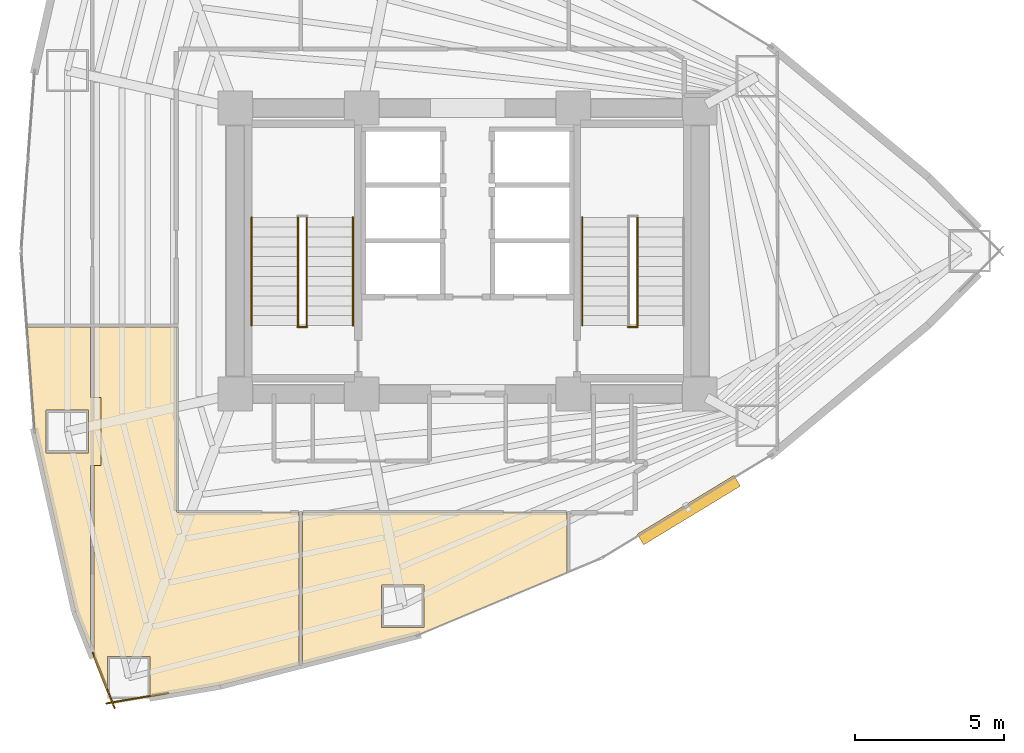
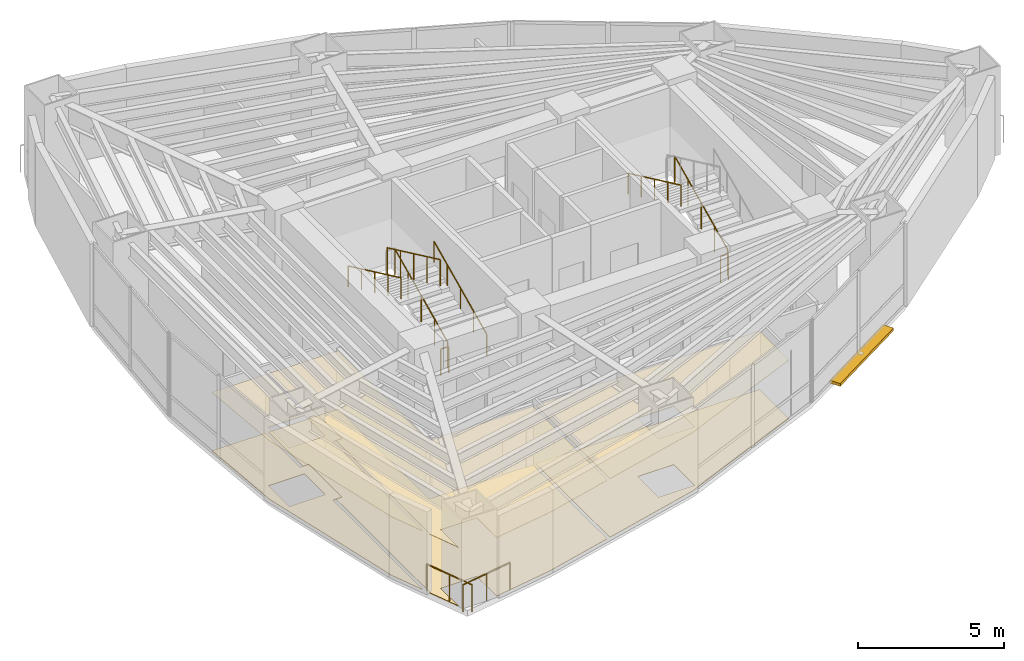
# One storey, part 16 of 17: 10 railings, 6 coverings, 1 shading device.
"""IFC4 building model written with IfcOpenShell, lengths in metres."""

from ifc_helpers import new_model, si_unit, direction, frame, origin, origin_2d, place, context, subcontext, project, spatial, polyline, rectangle, circle, outline, extrude, material, layer, layer_set, type_object, element, save


model = new_model("IFC4")

# Units and contexts
model_context = context("Model", 3, precision=1e-05, world=origin(), true_north=direction((0.0, 1.0)))
body_context = subcontext(model_context, "Body", "Model", "MODEL_VIEW")
ifc_project = project(units=[si_unit("LENGTHUNIT", "METRE"), si_unit("AREAUNIT", "SQUARE_METRE"), si_unit("VOLUMEUNIT", "CUBIC_METRE"), si_unit("PLANEANGLEUNIT", "RADIAN"), si_unit("MASSUNIT", "GRAM", prefix="KILO")], contexts=[model_context])

# Site, building, storey
site_placement = place(None, origin())
site = spatial("IfcSite", under=ifc_project, at=site_placement, CompositionType="ELEMENT")
building_placement = place(site_placement, origin())
building = spatial("IfcBuilding", under=site, at=building_placement, Name="Menara Vayukalpa", CompositionType="ELEMENT")
storey_placement = place(building_placement, frame((0.0, 0.0, 49.919921875)))
storey = spatial("IfcBuildingStorey", under=building, at=storey_placement, Name="L11", CompositionType="ELEMENT", Elevation=49.919921875)

# Coverings
ifc_material_1 = material(Name="Mineral Fibre Acoustic Ceiling Tile", Category="masonry")
ifc_layer_1 = layer(ifc_material_1, 0.02490234375)
ifc_layer_set_1 = layer_set([ifc_layer_1], Name="Mineral Fibre Acoustic Ceiling Tile")
covering_type_1 = type_object("IfcCoveringType", Name="COV-CLG1", PredefinedType="CEILING", material=ifc_layer_set_1)
covering_1_placement = place(storey_placement, frame((0.0, 0.0, 2.4501953125)))
element("IfcCovering", 1, at=covering_1_placement, inside=storey, type_object=covering_type_1, Name="L11 Corporate Training Classroom Acoustic Ceiling", PredefinedType="CEILING", context=body_context, shape_type="SweptSolid", body=[
    extrude(outline(polyline([(12.43701171875, 9.884521484375), (11.07421875, 15.941162109375), (11.073974609375, 15.942626953125), (10.8125, 19.42919921875), (10.8125, 19.43017578125), (10.8125, 19.43115234375), (10.812744140625, 19.43212890625), (10.81298828125, 19.43310546875), (10.813232421875, 19.43408203125), (10.813720703125, 19.434814453125), (10.814208984375, 19.435791015625), (10.814697265625, 19.436279296875), (10.8154296875, 19.43701171875), (10.816162109375, 19.437744140625), (10.81689453125, 19.4384765625), (10.81787109375, 19.43896484375), (10.818603515625, 19.439208984375), (10.819580078125, 19.439697265625), (10.820556640625, 19.439697265625), (10.821533203125, 19.43994140625), (10.822509765625, 19.43994140625), (12.929931640625, 19.43994140625), (12.930908203125, 19.43994140625), (12.931884765625, 19.439697265625), (12.932861328125, 19.439697265625), (12.933837890625, 19.439208984375), (12.934814453125, 19.438720703125), (12.935546875, 19.438232421875), (12.936279296875, 19.437744140625), (12.93701171875, 19.43701171875), (12.937744140625, 19.436279296875), (12.938232421875, 19.435546875), (12.938720703125, 19.434814453125), (12.939208984375, 19.433837890625), (12.939697265625, 19.432861328125), (12.939697265625, 19.431884765625), (12.93994140625, 19.430908203125), (12.93994140625, 19.429931640625), (12.93994140625, 17.075439453125), (13.29931640625, 17.075439453125), (13.29931640625, 14.805419921875), (12.93994140625, 14.805419921875), (12.93994140625, 8.65625), (12.93994140625, 8.6552734375), (12.939697265625, 8.654296875), (12.939697265625, 8.6533203125), (12.939208984375, 8.65234375), (12.938720703125, 8.651611328125), (12.938232421875, 8.650634765625), (12.937744140625, 8.64990234375), (12.93701171875, 8.649169921875), (12.936279296875, 8.6484375), (12.935546875, 8.64794921875), (12.9345703125, 8.6474609375), (12.933837890625, 8.64697265625), (12.932861328125, 8.646728515625), (12.931884765625, 8.646484375), (12.930908203125, 8.646240234375), (12.929931640625, 8.646240234375), (12.928955078125, 8.646484375), (12.927978515625, 8.646484375), (12.927001953125, 8.646728515625), (12.926025390625, 8.647216796875), (12.92529296875, 8.6474609375), (12.92431640625, 8.648193359375), (12.923583984375, 8.648681640625), (12.9228515625, 8.6494140625), (12.922119140625, 8.650146484375), (12.921630859375, 8.65087890625), (12.921142578125, 8.651611328125), (12.920654296875, 8.652587890625), (12.4375, 9.883056640625), (12.437255859375, 9.8837890625), (12.43701171875, 9.884521484375)]), holes=[polyline([(12.879150390625, 16.655517578125), (11.44921875, 16.655517578125), (11.44921875, 15.225341796875), (12.879150390625, 15.225341796875), (12.879150390625, 16.655517578125)])]), origin(), (0.0, 0.0, 1.0), 0.02490234375),
])
covering_2_placement = place(storey_placement, frame((0.0, 0.0, 2.4501953125)))
element("IfcCovering", 2, at=covering_2_placement, inside=storey, type_object=covering_type_1, Name="L11 Corporate Training Classroom Acoustic Ceiling", PredefinedType="CEILING", context=body_context, shape_type="SweptSolid", body=[
    extrude(outline(polyline([(13.041748046875, 8.344482421875), (13.04150390625, 8.345458984375), (13.041015625, 8.346435546875), (13.041015625, 8.347412109375), (13.041015625, 8.348388671875), (13.041015625, 8.349609375), (13.041259765625, 8.3505859375), (13.04150390625, 8.3515625), (13.0419921875, 8.352294921875), (13.04248046875, 8.353271484375), (13.04296875, 8.354248046875), (13.043701171875, 8.35498046875), (13.04638671875, 8.35791015625), (13.0498046875, 8.36279296875), (13.052978515625, 8.36767578125), (13.055419921875, 8.373046875), (13.057373046875, 8.378662109375), (13.058837890625, 8.384521484375), (13.059814453125, 8.39013671875), (13.06005859375, 8.396240234375), (13.06005859375, 14.805419921875), (11.606689453125, 14.805419921875), (11.51220703125, 15.225341796875), (12.879150390625, 15.225341796875), (12.879150390625, 16.655517578125), (11.44921875, 16.655517578125), (11.44921875, 15.5048828125), (11.341796875, 15.981689453125), (11.260009765625, 17.075439453125), (13.06005859375, 17.075439453125), (13.06005859375, 19.429931640625), (13.06005859375, 19.430908203125), (13.060302734375, 19.431884765625), (13.060302734375, 19.432861328125), (13.060791015625, 19.433837890625), (13.061279296875, 19.434814453125), (13.061767578125, 19.435546875), (13.062255859375, 19.436279296875), (13.06298828125, 19.43701171875), (13.063720703125, 19.437744140625), (13.064453125, 19.438232421875), (13.065185546875, 19.438720703125), (13.066162109375, 19.439208984375), (13.067138671875, 19.439697265625), (13.068115234375, 19.439697265625), (13.069091796875, 19.43994140625), (13.070068359375, 19.43994140625), (15.820068359375, 19.43994140625), (15.821044921875, 19.43994140625), (15.822021484375, 19.439697265625), (15.822998046875, 19.439697265625), (15.82373046875, 19.439208984375), (15.82470703125, 19.438720703125), (15.82568359375, 19.438232421875), (15.826416015625, 19.437744140625), (15.8271484375, 19.43701171875), (15.82763671875, 19.436279296875), (15.828369140625, 19.435546875), (15.828857421875, 19.434814453125), (15.8291015625, 19.433837890625), (15.82958984375, 19.432861328125), (15.829833984375, 19.431884765625), (15.830078125, 19.430908203125), (15.830078125, 19.429931640625), (15.830078125, 13.290283203125), (15.830322265625, 13.283203125), (15.831298828125, 13.2763671875), (15.8330078125, 13.269775390625), (15.835205078125, 13.26318359375), (15.838134765625, 13.257080078125), (15.841796875, 13.251220703125), (15.845947265625, 13.24560546875), (15.8505859375, 13.240478515625), (15.85546875, 13.236083984375), (15.861083984375, 13.231689453125), (15.866943359375, 13.228271484375), (15.873291015625, 13.225341796875), (15.879638671875, 13.222900390625), (15.88623046875, 13.22119140625), (15.893310546875, 13.220458984375), (15.900390625, 13.219970703125), (19.929931640625, 13.219970703125), (19.930908203125, 13.219970703125), (19.931884765625, 13.2197265625), (19.932861328125, 13.219482421875), (19.933837890625, 13.21923828125), (19.934814453125, 13.21875), (19.935546875, 13.21826171875), (19.936279296875, 13.2177734375), (19.93701171875, 13.217041015625), (19.937744140625, 13.21630859375), (19.938232421875, 13.215576171875), (19.938720703125, 13.214599609375), (19.939208984375, 13.2138671875), (19.939697265625, 13.212890625), (19.939697265625, 13.2119140625), (19.93994140625, 13.2109375), (19.93994140625, 13.2099609375), (19.93994140625, 8.100341796875), (19.93994140625, 8.099365234375), (19.939697265625, 8.098388671875), (19.939453125, 8.097412109375), (19.939208984375, 8.096435546875), (19.938720703125, 8.095458984375), (19.938232421875, 8.0947265625), (19.9375, 8.093994140625), (19.93701171875, 8.093017578125), (19.93603515625, 8.092529296875), (19.935302734375, 8.091796875), (19.934326171875, 8.09130859375), (19.933349609375, 8.091064453125), (19.9326171875, 8.0908203125), (17.285888671875, 7.415771484375), (17.28515625, 7.41552734375), (14.9326171875, 7.01611328125), (14.9326171875, 8.380615234375), (13.502685546875, 8.380615234375), (13.502685546875, 7.1708984375), (13.041748046875, 8.344482421875)])), origin(), (0.0, 0.0, 1.0), 0.02490234375),
])
covering_3_placement = place(storey_placement, frame((0.0, 0.0, 2.4501953125)))
element("IfcCovering", 3, at=covering_3_placement, inside=storey, type_object=covering_type_1, Name="L11 Corporate Training Classroom Acoustic Ceiling", PredefinedType="CEILING", context=body_context, shape_type="SweptSolid", body=[
    extrude(outline(polyline([(20.072509765625, 8.12646484375), (20.071533203125, 8.126220703125), (20.070556640625, 8.126220703125), (20.069580078125, 8.126220703125), (20.068603515625, 8.126220703125), (20.067626953125, 8.12646484375), (20.06689453125, 8.126708984375), (20.06591796875, 8.126953125), (20.065185546875, 8.12744140625), (20.064208984375, 8.1279296875), (20.0634765625, 8.12841796875), (20.062744140625, 8.129150390625), (20.062255859375, 8.1298828125), (20.0615234375, 8.130615234375), (20.06103515625, 8.131591796875), (20.060791015625, 8.13232421875), (20.060302734375, 8.13330078125), (20.060302734375, 8.13427734375), (20.06005859375, 8.135009765625), (20.06005859375, 8.135986328125), (20.06005859375, 13.2099609375), (20.06005859375, 13.2109375), (20.060302734375, 13.2119140625), (20.060302734375, 13.212890625), (20.060791015625, 13.2138671875), (20.061279296875, 13.214599609375), (20.061767578125, 13.215576171875), (20.062255859375, 13.21630859375), (20.06298828125, 13.217041015625), (20.063720703125, 13.2177734375), (20.064453125, 13.21826171875), (20.065185546875, 13.21875), (20.066162109375, 13.21923828125), (20.067138671875, 13.219482421875), (20.068115234375, 13.2197265625), (20.069091796875, 13.219970703125), (20.070068359375, 13.219970703125), (28.929931640625, 13.219970703125), (28.930908203125, 13.219970703125), (28.931884765625, 13.2197265625), (28.932861328125, 13.219482421875), (28.933837890625, 13.21923828125), (28.934814453125, 13.21875), (28.935546875, 13.21826171875), (28.936279296875, 13.2177734375), (28.93701171875, 13.217041015625), (28.937744140625, 13.21630859375), (28.938232421875, 13.215576171875), (28.938720703125, 13.214599609375), (28.939208984375, 13.2138671875), (28.939697265625, 13.212890625), (28.939697265625, 13.2119140625), (28.93994140625, 13.2109375), (28.93994140625, 13.2099609375), (28.93994140625, 11.21484375), (28.93994140625, 11.2138671875), (28.939697265625, 11.212890625), (28.939697265625, 11.2119140625), (28.939208984375, 11.211181640625), (28.938720703125, 11.210205078125), (28.938232421875, 11.20947265625), (28.937744140625, 11.20849609375), (28.93701171875, 11.207763671875), (28.936279296875, 11.207275390625), (28.935546875, 11.20654296875), (28.934814453125, 11.2060546875), (28.933837890625, 11.205810546875), (23.916015625, 9.106689453125), (23.914794921875, 9.106201171875), (20.072509765625, 8.12646484375)]), holes=[polyline([(24.134521484375, 10.792236328125), (22.704345703125, 10.792236328125), (22.704345703125, 9.3623046875), (24.134521484375, 9.3623046875), (24.134521484375, 10.792236328125)])]), origin(), (0.0, 0.0, 1.0), 0.02490234375),
])
ifc_material_2 = material(Name="Porcelain Stoneware Floor Tile", Category="masonry")
ifc_layer_2 = layer(ifc_material_2, 0.02001953125)
ifc_layer_set_2 = layer_set([ifc_layer_2], Name="Porcelain Stoneware Floor Tile")
covering_type_2 = type_object("IfcCoveringType", Name="COV-FLR1", PredefinedType="FLOORING", material=ifc_layer_set_2)
covering_4_placement = place(storey_placement, origin())
element("IfcCovering", 4, at=covering_4_placement, inside=storey, type_object=covering_type_2, Name="L11 Corporate Training Classroom Porcelain Flooring", PredefinedType="FLOORING", context=body_context, shape_type="SweptSolid", body=[
    extrude(outline(polyline([(12.43701171875, 9.884521484375), (11.07421875, 15.941162109375), (11.073974609375, 15.942626953125), (10.8125, 19.42919921875), (10.8125, 19.43017578125), (10.8125, 19.43115234375), (10.812744140625, 19.43212890625), (10.81298828125, 19.43310546875), (10.813232421875, 19.43408203125), (10.813720703125, 19.434814453125), (10.814208984375, 19.435791015625), (10.814697265625, 19.436279296875), (10.8154296875, 19.43701171875), (10.816162109375, 19.437744140625), (10.81689453125, 19.4384765625), (10.81787109375, 19.43896484375), (10.818603515625, 19.439208984375), (10.819580078125, 19.439697265625), (10.820556640625, 19.439697265625), (10.821533203125, 19.43994140625), (10.822509765625, 19.43994140625), (12.929931640625, 19.43994140625), (12.930908203125, 19.43994140625), (12.931884765625, 19.439697265625), (12.932861328125, 19.439697265625), (12.933837890625, 19.439208984375), (12.934814453125, 19.438720703125), (12.935546875, 19.438232421875), (12.936279296875, 19.437744140625), (12.93701171875, 19.43701171875), (12.937744140625, 19.436279296875), (12.938232421875, 19.435546875), (12.938720703125, 19.434814453125), (12.939208984375, 19.433837890625), (12.939697265625, 19.432861328125), (12.939697265625, 19.431884765625), (12.93994140625, 19.430908203125), (12.93994140625, 19.429931640625), (12.93994140625, 17.075439453125), (13.29931640625, 17.075439453125), (13.29931640625, 14.805419921875), (12.93994140625, 14.805419921875), (12.93994140625, 8.65625), (12.93994140625, 8.6552734375), (12.939697265625, 8.654296875), (12.939697265625, 8.6533203125), (12.939208984375, 8.65234375), (12.938720703125, 8.651611328125), (12.938232421875, 8.650634765625), (12.937744140625, 8.64990234375), (12.93701171875, 8.649169921875), (12.936279296875, 8.6484375), (12.935546875, 8.64794921875), (12.9345703125, 8.6474609375), (12.933837890625, 8.64697265625), (12.932861328125, 8.646728515625), (12.931884765625, 8.646484375), (12.930908203125, 8.646240234375), (12.929931640625, 8.646240234375), (12.928955078125, 8.646484375), (12.927978515625, 8.646484375), (12.927001953125, 8.646728515625), (12.926025390625, 8.647216796875), (12.92529296875, 8.6474609375), (12.92431640625, 8.648193359375), (12.923583984375, 8.648681640625), (12.9228515625, 8.6494140625), (12.922119140625, 8.650146484375), (12.921630859375, 8.65087890625), (12.921142578125, 8.651611328125), (12.920654296875, 8.652587890625), (12.4375, 9.883056640625), (12.437255859375, 9.8837890625), (12.43701171875, 9.884521484375)]), holes=[polyline([(12.879150390625, 16.655517578125), (11.44921875, 16.655517578125), (11.44921875, 15.225341796875), (12.879150390625, 15.225341796875), (12.879150390625, 16.655517578125)])]), origin(), (0.0, 0.0, 1.0), 0.02001953125),
])
covering_5_placement = place(storey_placement, origin())
element("IfcCovering", 5, at=covering_5_placement, inside=storey, type_object=covering_type_2, Name="L11 Corporate Training Classroom Porcelain Flooring", PredefinedType="FLOORING", context=body_context, shape_type="SweptSolid", body=[
    extrude(outline(polyline([(13.041748046875, 8.344482421875), (13.04150390625, 8.345458984375), (13.041015625, 8.346435546875), (13.041015625, 8.347412109375), (13.041015625, 8.348388671875), (13.041015625, 8.349609375), (13.041259765625, 8.3505859375), (13.04150390625, 8.3515625), (13.0419921875, 8.352294921875), (13.04248046875, 8.353271484375), (13.04296875, 8.354248046875), (13.043701171875, 8.35498046875), (13.04638671875, 8.35791015625), (13.0498046875, 8.36279296875), (13.052978515625, 8.36767578125), (13.055419921875, 8.373046875), (13.057373046875, 8.378662109375), (13.058837890625, 8.384521484375), (13.059814453125, 8.39013671875), (13.06005859375, 8.396240234375), (13.06005859375, 14.805419921875), (11.606689453125, 14.805419921875), (11.51220703125, 15.225341796875), (12.879150390625, 15.225341796875), (12.879150390625, 16.655517578125), (11.44921875, 16.655517578125), (11.44921875, 15.5048828125), (11.341796875, 15.981689453125), (11.260009765625, 17.075439453125), (13.06005859375, 17.075439453125), (13.06005859375, 19.429931640625), (13.06005859375, 19.430908203125), (13.060302734375, 19.431884765625), (13.060302734375, 19.432861328125), (13.060791015625, 19.433837890625), (13.061279296875, 19.434814453125), (13.061767578125, 19.435546875), (13.062255859375, 19.436279296875), (13.06298828125, 19.43701171875), (13.063720703125, 19.437744140625), (13.064453125, 19.438232421875), (13.065185546875, 19.438720703125), (13.066162109375, 19.439208984375), (13.067138671875, 19.439697265625), (13.068115234375, 19.439697265625), (13.069091796875, 19.43994140625), (13.070068359375, 19.43994140625), (15.820068359375, 19.43994140625), (15.821044921875, 19.43994140625), (15.822021484375, 19.439697265625), (15.822998046875, 19.439697265625), (15.82373046875, 19.439208984375), (15.82470703125, 19.438720703125), (15.82568359375, 19.438232421875), (15.826416015625, 19.437744140625), (15.8271484375, 19.43701171875), (15.82763671875, 19.436279296875), (15.828369140625, 19.435546875), (15.828857421875, 19.434814453125), (15.8291015625, 19.433837890625), (15.82958984375, 19.432861328125), (15.829833984375, 19.431884765625), (15.830078125, 19.430908203125), (15.830078125, 19.429931640625), (15.830078125, 13.290283203125), (15.830322265625, 13.283203125), (15.831298828125, 13.2763671875), (15.8330078125, 13.269775390625), (15.835205078125, 13.26318359375), (15.838134765625, 13.257080078125), (15.841796875, 13.251220703125), (15.845947265625, 13.24560546875), (15.8505859375, 13.240478515625), (15.85546875, 13.236083984375), (15.861083984375, 13.231689453125), (15.866943359375, 13.228271484375), (15.873291015625, 13.225341796875), (15.879638671875, 13.222900390625), (15.88623046875, 13.22119140625), (15.893310546875, 13.220458984375), (15.900390625, 13.219970703125), (19.929931640625, 13.219970703125), (19.930908203125, 13.219970703125), (19.931884765625, 13.2197265625), (19.932861328125, 13.219482421875), (19.933837890625, 13.21923828125), (19.934814453125, 13.21875), (19.935546875, 13.21826171875), (19.936279296875, 13.2177734375), (19.93701171875, 13.217041015625), (19.937744140625, 13.21630859375), (19.938232421875, 13.215576171875), (19.938720703125, 13.214599609375), (19.939208984375, 13.2138671875), (19.939697265625, 13.212890625), (19.939697265625, 13.2119140625), (19.93994140625, 13.2109375), (19.93994140625, 13.2099609375), (19.93994140625, 8.100341796875), (19.93994140625, 8.099365234375), (19.939697265625, 8.098388671875), (19.939453125, 8.097412109375), (19.939208984375, 8.096435546875), (19.938720703125, 8.095458984375), (19.938232421875, 8.0947265625), (19.9375, 8.093994140625), (19.93701171875, 8.093017578125), (19.93603515625, 8.092529296875), (19.935302734375, 8.091796875), (19.934326171875, 8.09130859375), (19.933349609375, 8.091064453125), (19.9326171875, 8.0908203125), (17.285888671875, 7.415771484375), (17.28515625, 7.41552734375), (14.9326171875, 7.01611328125), (14.9326171875, 8.380615234375), (13.502685546875, 8.380615234375), (13.502685546875, 7.1708984375), (13.041748046875, 8.344482421875)])), origin(), (0.0, 0.0, 1.0), 0.02001953125),
])
covering_6_placement = place(storey_placement, origin())
element("IfcCovering", 6, at=covering_6_placement, inside=storey, type_object=covering_type_2, Name="L11 Corporate Training Classroom Porcelain Flooring", PredefinedType="FLOORING", context=body_context, shape_type="SweptSolid", body=[
    extrude(outline(polyline([(20.072509765625, 8.12646484375), (20.071533203125, 8.126220703125), (20.070556640625, 8.126220703125), (20.069580078125, 8.126220703125), (20.068603515625, 8.126220703125), (20.067626953125, 8.12646484375), (20.06689453125, 8.126708984375), (20.06591796875, 8.126953125), (20.065185546875, 8.12744140625), (20.064208984375, 8.1279296875), (20.0634765625, 8.12841796875), (20.062744140625, 8.129150390625), (20.062255859375, 8.1298828125), (20.0615234375, 8.130615234375), (20.06103515625, 8.131591796875), (20.060791015625, 8.13232421875), (20.060302734375, 8.13330078125), (20.060302734375, 8.13427734375), (20.06005859375, 8.135009765625), (20.06005859375, 8.135986328125), (20.06005859375, 13.2099609375), (20.06005859375, 13.2109375), (20.060302734375, 13.2119140625), (20.060302734375, 13.212890625), (20.060791015625, 13.2138671875), (20.061279296875, 13.214599609375), (20.061767578125, 13.215576171875), (20.062255859375, 13.21630859375), (20.06298828125, 13.217041015625), (20.063720703125, 13.2177734375), (20.064453125, 13.21826171875), (20.065185546875, 13.21875), (20.066162109375, 13.21923828125), (20.067138671875, 13.219482421875), (20.068115234375, 13.2197265625), (20.069091796875, 13.219970703125), (20.070068359375, 13.219970703125), (28.929931640625, 13.219970703125), (28.930908203125, 13.219970703125), (28.931884765625, 13.2197265625), (28.932861328125, 13.219482421875), (28.933837890625, 13.21923828125), (28.934814453125, 13.21875), (28.935546875, 13.21826171875), (28.936279296875, 13.2177734375), (28.93701171875, 13.217041015625), (28.937744140625, 13.21630859375), (28.938232421875, 13.215576171875), (28.938720703125, 13.214599609375), (28.939208984375, 13.2138671875), (28.939697265625, 13.212890625), (28.939697265625, 13.2119140625), (28.93994140625, 13.2109375), (28.93994140625, 13.2099609375), (28.93994140625, 11.21484375), (28.93994140625, 11.2138671875), (28.939697265625, 11.212890625), (28.939697265625, 11.2119140625), (28.939208984375, 11.211181640625), (28.938720703125, 11.210205078125), (28.938232421875, 11.20947265625), (28.937744140625, 11.20849609375), (28.93701171875, 11.207763671875), (28.936279296875, 11.207275390625), (28.935546875, 11.20654296875), (28.934814453125, 11.2060546875), (28.933837890625, 11.205810546875), (23.916015625, 9.106689453125), (23.914794921875, 9.106201171875), (20.072509765625, 8.12646484375)]), holes=[polyline([(24.134521484375, 10.792236328125), (22.704345703125, 10.792236328125), (22.704345703125, 9.3623046875), (24.134521484375, 9.3623046875), (24.134521484375, 10.792236328125)])]), origin(), (0.0, 0.0, 1.0), 0.02001953125),
])

# Railings
ifc_material_3 = material(Name="Laminated Glass and Stainless Steel 316 Guardrail", Category="steel")
railing_type_1 = type_object("IfcRailingType", Name="RLG-EXT115", PredefinedType="GUARDRAIL", material=ifc_material_3)
railing_1_placement = place(storey_placement, frame((13.02099609375, 8.50634765625, 0.0)))
element("IfcRailing", 7, at=railing_1_placement, inside=storey, type_object=railing_type_1, Name="L11 Column Corner Spandrel Guardrail 13-1", PredefinedType="GUARDRAIL", context=body_context, shape_type="SweptSolid", body=[
    extrude(circle(Radius=0.02392578125, at=origin_2d()), frame((0.0, 0.0, 1.1259765625), z_axis=(0.365580158762, -0.930779859859, 0.0), x_axis=(0.930779859859, 0.365580158762, 0.0)), (0.0, 0.0, 1.0), 1.9873046875),
    extrude(circle(Radius=0.02099609375, at=origin_2d()), origin(), (0.0, 0.0, 1.0), 1.101806640625),
    extrude(circle(Radius=0.02099609375, at=origin_2d()), frame((0.36328125, -0.9248046875, 0.0)), (0.0, 0.0, 1.0), 1.101806640625),
    extrude(circle(Radius=0.02099609375, at=origin_2d()), frame((0.7265625, -1.849853515625, 0.0)), (0.0, 0.0, 1.0), 1.101806640625),
])
railing_2_placement = place(storey_placement, frame((13.4765625, 6.8095703125, 0.0)))
element("IfcRailing", 8, at=railing_2_placement, inside=storey, type_object=railing_type_1, Name="L11 Column Corner Spandrel Guardrail 14-1", PredefinedType="GUARDRAIL", context=body_context, shape_type="SweptSolid", body=[
    extrude(circle(Radius=0.02392578125, at=origin_2d()), frame((0.0, 0.0, 1.1259765625), z_axis=(0.985904350491, 0.167309927029, 0.0), x_axis=(-0.167309927029, 0.985904350491, 0.0)), (0.0, 0.0, 1.0), 2.093994140625),
    extrude(circle(Radius=0.02099609375, at=origin_2d()), origin(), (0.0, 0.0, 1.0), 1.101806640625),
    extrude(circle(Radius=0.02099609375, at=origin_2d()), frame((1.0322265625, 0.17529296875, 0.0)), (0.0, 0.0, 1.0), 1.101806640625),
    extrude(circle(Radius=0.02099609375, at=origin_2d()), frame((2.064453125, 0.350341796875, 0.0)), (0.0, 0.0, 1.0), 1.101806640625),
])
ifc_material_4 = material(Name="Powder-Coated Galvanised Steel Guardrail", Category="steel")
railing_type_2 = type_object("IfcRailingType", Name="RLG-STG110", PredefinedType="GUARDRAIL", material=ifc_material_4)
railing_3_placement = place(storey_placement, frame((20.199951171875, 19.5, 0.155029296875)))
element("IfcRailing", 9, at=railing_3_placement, inside=storey, type_object=railing_type_2, Name="L11 ST-1 stair guard 1", PredefinedType="GUARDRAIL", context=body_context, shape_type="SweptSolid", body=[
    extrude(circle(Radius=0.02392578125, at=origin_2d()), frame((0.0, 0.0, 1.09619140625), z_axis=(0.0, 0.90511648382, 0.425163675209), x_axis=(-1.0, 0.0, 0.0)), (0.0, 0.0, 1.0), 4.010498046875),
    extrude(circle(Radius=0.02099609375, at=origin_2d()), origin(), (0.0, 0.0, 1.0), 1.072021484375),
    extrude(circle(Radius=0.02099609375, at=origin_2d()), frame((0.0, 0.907470703125, 0.42626953125)), (0.0, 0.0, 1.0), 1.072021484375),
    extrude(circle(Radius=0.02099609375, at=origin_2d()), frame((0.0, 1.81494140625, 0.8525390625)), (0.0, 0.0, 1.0), 1.072021484375),
    extrude(circle(Radius=0.02099609375, at=origin_2d()), frame((0.0, 2.722412109375, 1.27880859375)), (0.0, 0.0, 1.0), 1.072021484375),
    extrude(circle(Radius=0.02099609375, at=origin_2d()), frame((0.0, 3.6298828125, 1.705078125)), (0.0, 0.0, 1.0), 1.072021484375),
])
railing_4_placement = place(storey_placement, frame((19.89990234375, 23.1298828125, 2.01513671875)))
element("IfcRailing", 10, at=railing_4_placement, inside=storey, type_object=railing_type_2, Name="L11 ST-1 stair guard 3", PredefinedType="GUARDRAIL", context=body_context, shape_type="SweptSolid", body=[
    extrude(circle(Radius=0.02392578125, at=origin_2d()), frame((0.0, 0.0, 1.09619140625), z_axis=(0.0, -0.90513990983, 0.425113800803), x_axis=(1.0, 0.0, 0.0)), (0.0, 0.0, 1.0), 4.01025390625),
    extrude(circle(Radius=0.02099609375, at=origin_2d()), origin(), (0.0, 0.0, 1.0), 1.072021484375),
    extrude(circle(Radius=0.02099609375, at=origin_2d()), frame((0.0, -0.907470703125, 0.42626953125)), (0.0, 0.0, 1.0), 1.072021484375),
    extrude(circle(Radius=0.02099609375, at=origin_2d()), frame((0.0, -1.81494140625, 0.8525390625)), (0.0, 0.0, 1.0), 1.072021484375),
    extrude(circle(Radius=0.02099609375, at=origin_2d()), frame((0.0, -2.722412109375, 1.278564453125)), (0.0, 0.0, 1.0), 1.072021484375),
    extrude(circle(Radius=0.02099609375, at=origin_2d()), frame((0.0, -3.6298828125, 1.704833984375)), (0.0, 0.0, 1.0), 1.072021484375),
])
railing_5_placement = place(storey_placement, frame((20.2099609375, 19.449951171875, 0.0)))
element("IfcRailing", 11, at=railing_5_placement, inside=storey, type_object=railing_type_2, Name="L11 ST-1 stair guard 4", PredefinedType="GUARDRAIL", context=body_context, shape_type="SweptSolid", body=[
    extrude(circle(Radius=0.02392578125, at=origin_2d()), frame((0.0, 0.0, 1.09619140625), z_axis=(-1.0, 0.0, 0.0), x_axis=(0.0, -1.0, 0.0)), (0.0, 0.0, 1.0), 0.320068359375),
    extrude(circle(Radius=0.02099609375, at=origin_2d()), origin(), (0.0, 0.0, 1.0), 1.072021484375),
    extrude(circle(Radius=0.02099609375, at=origin_2d()), frame((-0.320068359375, 0.0, 0.0)), (0.0, 0.0, 1.0), 1.072021484375),
])
railing_6_placement = place(storey_placement, frame((31.300048828125, 19.5, 0.155029296875)))
element("IfcRailing", 12, at=railing_6_placement, inside=storey, type_object=railing_type_2, Name="L11 ST-2 stair guard 1", PredefinedType="GUARDRAIL", context=body_context, shape_type="SweptSolid", body=[
    extrude(circle(Radius=0.02392578125, at=origin_2d()), frame((0.0, 0.0, 1.09619140625), z_axis=(0.0, 0.90511648382, 0.425163675209), x_axis=(-1.0, 0.0, 0.0)), (0.0, 0.0, 1.0), 4.010498046875),
    extrude(circle(Radius=0.02099609375, at=origin_2d()), origin(), (0.0, 0.0, 1.0), 1.072021484375),
    extrude(circle(Radius=0.02099609375, at=origin_2d()), frame((0.0, 0.907470703125, 0.42626953125)), (0.0, 0.0, 1.0), 1.072021484375),
    extrude(circle(Radius=0.02099609375, at=origin_2d()), frame((0.0, 1.81494140625, 0.8525390625)), (0.0, 0.0, 1.0), 1.072021484375),
    extrude(circle(Radius=0.02099609375, at=origin_2d()), frame((0.0, 2.722412109375, 1.27880859375)), (0.0, 0.0, 1.0), 1.072021484375),
    extrude(circle(Radius=0.02099609375, at=origin_2d()), frame((0.0, 3.6298828125, 1.705078125)), (0.0, 0.0, 1.0), 1.072021484375),
])
railing_7_placement = place(storey_placement, frame((31.31005859375, 19.449951171875, 0.0)))
element("IfcRailing", 13, at=railing_7_placement, inside=storey, type_object=railing_type_2, Name="L11 ST-2 stair guard 4", PredefinedType="GUARDRAIL", context=body_context, shape_type="SweptSolid", body=[
    extrude(circle(Radius=0.02392578125, at=origin_2d()), frame((0.0, 0.0, 1.09619140625), z_axis=(-1.0, 0.0, 0.0), x_axis=(0.0, -1.0, 0.0)), (0.0, 0.0, 1.0), 0.320068359375),
    extrude(circle(Radius=0.02099609375, at=origin_2d()), origin(), (0.0, 0.0, 1.0), 1.072021484375),
    extrude(circle(Radius=0.02099609375, at=origin_2d()), frame((-0.320068359375, 0.0, 0.0)), (0.0, 0.0, 1.0), 1.072021484375),
])
ifc_material_5 = material(Name="Stainless Steel 316 Tubular Handrail", Category="steel")
railing_type_3 = type_object("IfcRailingType", Name="RLG-STH090", PredefinedType="HANDRAIL", material=ifc_material_5)
railing_8_placement = place(storey_placement, frame((21.75, 19.5, 0.155029296875)))
element("IfcRailing", 14, at=railing_8_placement, inside=storey, type_object=railing_type_3, Name="L11 ST-1 stair handrail 1", PredefinedType="HANDRAIL", context=body_context, shape_type="SweptSolid", body=[
    extrude(circle(Radius=0.02392578125, at=origin_2d()), frame((0.0, 0.0, 0.8759765625), z_axis=(0.0, 0.90511648382, 0.425163675209), x_axis=(-1.0, 0.0, 0.0)), (0.0, 0.0, 1.0), 4.010498046875),
    extrude(circle(Radius=0.02099609375, at=origin_2d()), origin(), (0.0, 0.0, 1.0), 0.851806640625),
    extrude(circle(Radius=0.02099609375, at=origin_2d()), frame((0.0, 0.907470703125, 0.42626953125)), (0.0, 0.0, 1.0), 0.851806640625),
    extrude(circle(Radius=0.02099609375, at=origin_2d()), frame((0.0, 1.81494140625, 0.8525390625)), (0.0, 0.0, 1.0), 0.851806640625),
    extrude(circle(Radius=0.02099609375, at=origin_2d()), frame((0.0, 2.722412109375, 1.27880859375)), (0.0, 0.0, 1.0), 0.851806640625),
    extrude(circle(Radius=0.02099609375, at=origin_2d()), frame((0.0, 3.6298828125, 1.705078125)), (0.0, 0.0, 1.0), 0.851806640625),
])
for number, where, name in (
    (15, (18.35009765625, 23.1298828125, 2.01513671875), "L11 ST-1 stair handrail 2"),
    (16, (29.449951171875, 23.1298828125, 2.01513671875), "L11 ST-2 stair handrail 2"),
):
    element("IfcRailing", number, at=place(storey_placement, frame(where)), inside=storey, type_object=railing_type_3, Name=name, PredefinedType="HANDRAIL", context=body_context, shape_type="SweptSolid", body=[
        extrude(circle(Radius=0.02392578125, at=origin_2d()), frame((0.0, 0.0, 0.8759765625), z_axis=(0.0, -0.90513990983, 0.425113800803), x_axis=(1.0, 0.0, 0.0)), (0.0, 0.0, 1.0), 4.01025390625),
        extrude(circle(Radius=0.02099609375, at=origin_2d()), origin(), (0.0, 0.0, 1.0), 0.851806640625),
        extrude(circle(Radius=0.02099609375, at=origin_2d()), frame((0.0, -0.907470703125, 0.42626953125)), (0.0, 0.0, 1.0), 0.851806640625),
        extrude(circle(Radius=0.02099609375, at=origin_2d()), frame((0.0, -1.81494140625, 0.8525390625)), (0.0, 0.0, 1.0), 0.851806640625),
        extrude(circle(Radius=0.02099609375, at=origin_2d()), frame((0.0, -2.722412109375, 1.278564453125)), (0.0, 0.0, 1.0), 0.851806640625),
        extrude(circle(Radius=0.02099609375, at=origin_2d()), frame((0.0, -3.6298828125, 1.704833984375)), (0.0, 0.0, 1.0), 0.851806640625),
    ])

# Shading device
ifc_material_6 = material(Name="Glazed Terracotta Ceramic Baguette Extrusion", Category="masonry")
ifc_layer_3 = layer(ifc_material_6, 0.1201171875)
ifc_layer_set_3 = layer_set([ifc_layer_3], Name="Glazed Terracotta Ceramic Baguette Extrusion")
shading_device_type = type_object("IfcShadingDeviceType", Name="SHD-SS1", PredefinedType="USERDEFINED", material=ifc_layer_set_3)
shading_device_placement = place(storey_placement, frame((33.02880859375, 13.298828125, -0.10009765625), z_axis=(0.0, 0.0, 1.0), x_axis=(0.85466730962, 0.519176068272, 0.0)))
element("IfcShadingDevice", 17, at=shading_device_placement, inside=storey, type_object=shading_device_type, Name="L11 Horizontal Terracotta Sunshade Band 17", ObjectType="SUNSHADE", PredefinedType="USERDEFINED", context=body_context, shape_type="SweptSolid", body=[
    extrude(rectangle(XDim=3.800048828125, YDim=0.419921875, at=origin_2d()), origin(), (0.0, 0.0, 1.0), 0.1201171875),
])

save(model, "model.ifc")
